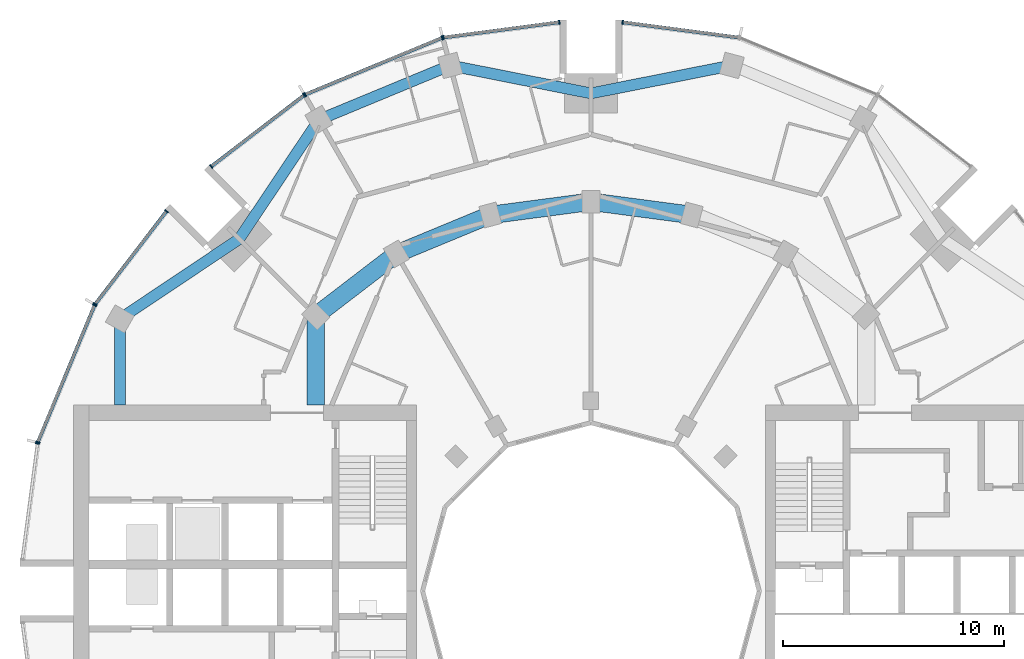
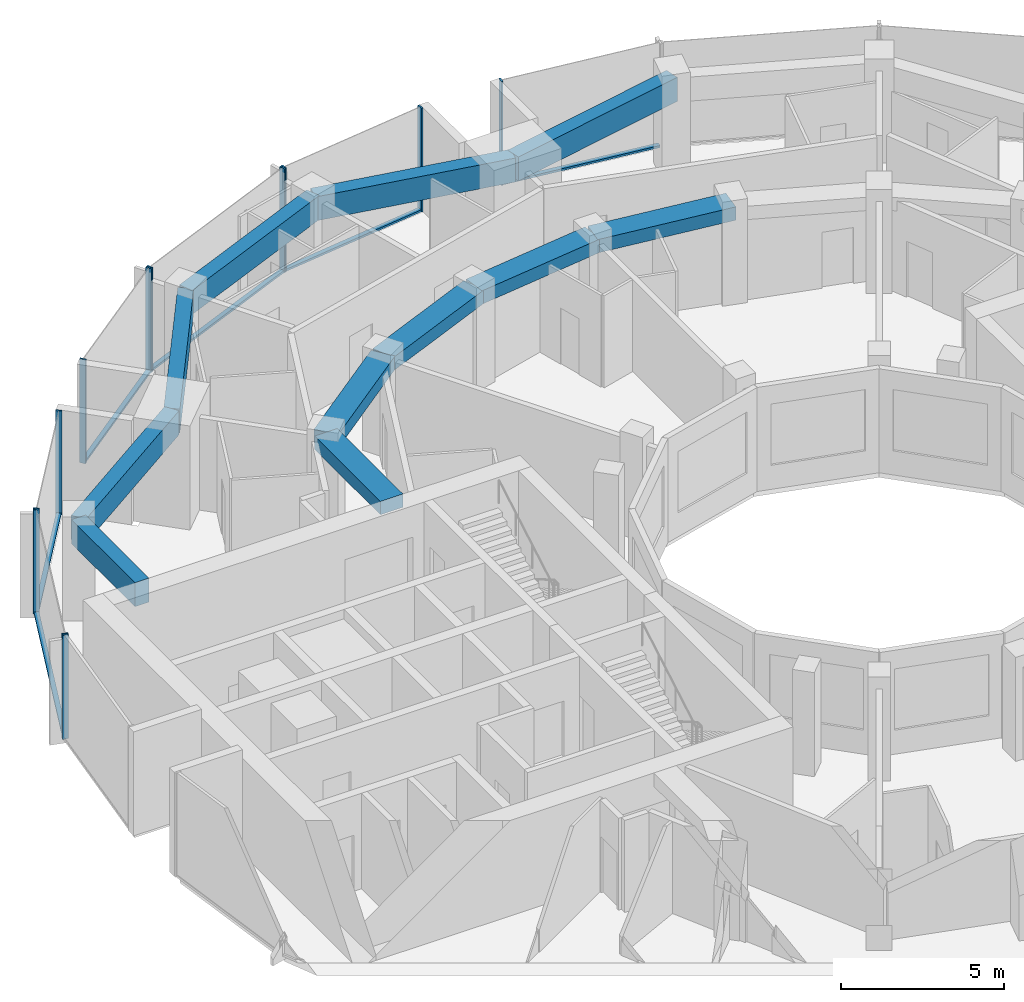
# One storey, part 5 of 15: 18 members, 11 beams, 7 elements without a shape of their own.
"""IFC4 building model written with IfcOpenShell, lengths in metres."""

from ifc_helpers import new_model, si_unit, direction, frame, origin, origin_2d, place, context, subcontext, project, spatial, rectangle, extrude, material, layer, layer_set, material_profile, profile_set, type_object, element, aggregate, save


model = new_model("IFC4")

# Units and contexts
model_context = context("Model", 3, precision=1e-05, world=origin(), true_north=direction((0.0, 1.0)))
body_context = subcontext(model_context, "Body", "Model", "MODEL_VIEW")
ifc_project = project(units=[si_unit("LENGTHUNIT", "METRE"), si_unit("AREAUNIT", "SQUARE_METRE"), si_unit("VOLUMEUNIT", "CUBIC_METRE"), si_unit("PLANEANGLEUNIT", "RADIAN"), si_unit("MASSUNIT", "GRAM", prefix="KILO")], contexts=[model_context])

# Site, building, storey
site_placement = place(None, origin())
site = spatial("IfcSite", under=ifc_project, at=site_placement, CompositionType="ELEMENT")
building_placement = place(site_placement, origin())
building = spatial("IfcBuilding", under=site, at=building_placement, Name="Torre Brocal", CompositionType="ELEMENT")
storey_placement = place(building_placement, frame((0.0, 0.0, 134.10009765625)))
storey = spatial("IfcBuildingStorey", under=building, at=storey_placement, Name="L31", CompositionType="ELEMENT", Elevation=134.10009765625)

# Curtain wall, member
ifc_material_1 = material(Name="Aluminium and glass", Category="aluminium")
ifc_layer_1 = layer(ifc_material_1, 0.199951171875)
ifc_layer_set_1 = layer_set([ifc_layer_1], Name="Aluminium and glass")
curtain_wall_type_1 = type_object("IfcCurtainWallType", Name="CW-1 CURTAIN WALL 3900 HIGH", PredefinedType="NOTDEFINED", material=ifc_layer_set_1)
curtain_wall_1_placement = place(storey_placement, origin())
curtain_wall_1 = element("IfcCurtainWall", 1, at=curtain_wall_1_placement, inside=storey, type_object=curtain_wall_type_1, Name="CW-1 RUN 6", PredefinedType="NOTDEFINED")
ifc_material_2 = material(Name="Aluminium, dark anodised", Category="aluminium")
ifc_material_profile_1 = material_profile(ifc_material_2, rectangle(XDim=0.199951171875, YDim=0.06005859375, at=origin_2d()), Name="CW-1 MULLION 60X200")
ifc_profile_set_1 = profile_set([ifc_material_profile_1], Name="Aluminium, dark anodised")
member_type_1 = type_object("IfcMemberType", Name="CW-1 MULLION 60X200", PredefinedType="MULLION", material=ifc_profile_set_1)
member_1_placement = place(storey_placement, frame((81.4296875, 100.7109375, 0.0), z_axis=(0.0, 0.0, 1.0), x_axis=(-0.13052619222, -0.991444861374, 0.0)))
member_1 = element("IfcMember", 2, at=member_1_placement, type_object=member_type_1, Name="CW1-3 mullion 2", PredefinedType="MULLION", context=body_context, shape_type="SweptSolid", body=[
    extrude(rectangle(XDim=0.199951171875, YDim=0.06005859375, at=origin_2d()), origin(), (0.0, 0.0, 1.0), 3.89990234375),
])

# Curtain wall, members
curtain_wall_2_placement = place(storey_placement, origin())
curtain_wall_2 = element("IfcCurtainWall", 3, at=curtain_wall_2_placement, inside=storey, type_object=curtain_wall_type_1, Name="CW-1 RUN 7", PredefinedType="NOTDEFINED")
member_2_placement = place(storey_placement, frame((78.5703125, 100.7109375, 0.0), z_axis=(0.0, 0.0, 1.0), x_axis=(0.13052619222, -0.991444861374, 0.0)))
member_2 = element("IfcMember", 4, at=member_2_placement, type_object=member_type_1, Name="CW1-3 mullion 1", PredefinedType="MULLION", context=body_context, shape_type="SweptSolid", body=[
    extrude(rectangle(XDim=0.199951171875, YDim=0.06005859375, at=origin_2d()), origin(), (0.0, 0.0, 1.0), 3.89990234375),
])
member_3_placement = place(storey_placement, frame((73.32666015625, 100.0205078125, 0.0), z_axis=(0.0, 0.0, 1.0), x_axis=(0.13052619222, -0.991444861374, 0.0)))
member_3 = element("IfcMember", 5, at=member_3_placement, type_object=member_type_1, Name="CW1-3 mullion 2", PredefinedType="MULLION", context=body_context, shape_type="SweptSolid", body=[
    extrude(rectangle(XDim=0.199951171875, YDim=0.06005859375, at=origin_2d()), origin(), (0.0, 0.0, 1.0), 3.89990234375),
])

curtain_wall_3_placement = place(storey_placement, origin())
curtain_wall_3 = element("IfcCurtainWall", 6, at=curtain_wall_3_placement, inside=storey, type_object=curtain_wall_type_1, Name="CW-1 RUN 8", PredefinedType="NOTDEFINED")
member_4_placement = place(storey_placement, frame((73.26904296875, 100.005126953125, 0.0), z_axis=(0.0, 0.0, 1.0), x_axis=(0.382683432333, -0.923879532525, 0.0)))
member_4 = element("IfcMember", 7, at=member_4_placement, type_object=member_type_1, Name="CW1-3 mullion 1", PredefinedType="MULLION", context=body_context, shape_type="SweptSolid", body=[
    extrude(rectangle(XDim=0.199951171875, YDim=0.06005859375, at=origin_2d()), origin(), (0.0, 0.0, 1.0), 3.89990234375),
])
member_5_placement = place(storey_placement, frame((67.078125, 97.440673828125, 0.0), z_axis=(0.0, 0.0, 1.0), x_axis=(0.382683432333, -0.923879532525, 0.0)))
member_5 = element("IfcMember", 8, at=member_5_placement, type_object=member_type_1, Name="CW1-3 mullion 2", PredefinedType="MULLION", context=body_context, shape_type="SweptSolid", body=[
    extrude(rectangle(XDim=0.199951171875, YDim=0.06005859375, at=origin_2d()), origin(), (0.0, 0.0, 1.0), 3.89990234375),
])

curtain_wall_4_placement = place(storey_placement, origin())
curtain_wall_4 = element("IfcCurtainWall", 9, at=curtain_wall_4_placement, inside=storey, type_object=curtain_wall_type_1, Name="CW-1 RUN 9", PredefinedType="NOTDEFINED")
member_6_placement = place(storey_placement, frame((67.026611328125, 97.4111328125, 0.0), z_axis=(0.0, 0.0, 1.0), x_axis=(0.60876142905, -0.793353340259, 0.0)))
member_6 = element("IfcMember", 10, at=member_6_placement, type_object=member_type_1, Name="CW1-3 mullion 1", PredefinedType="MULLION", context=body_context, shape_type="SweptSolid", body=[
    extrude(rectangle(XDim=0.199951171875, YDim=0.06005859375, at=origin_2d()), origin(), (0.0, 0.0, 1.0), 3.89990234375),
])
member_7_placement = place(storey_placement, frame((62.83056640625, 94.19140625, 0.0), z_axis=(0.0, 0.0, 1.0), x_axis=(0.60876142905, -0.793353340259, 0.0)))
member_7 = element("IfcMember", 11, at=member_7_placement, type_object=member_type_1, Name="CW1-3 mullion 2", PredefinedType="MULLION", context=body_context, shape_type="SweptSolid", body=[
    extrude(rectangle(XDim=0.199951171875, YDim=0.06005859375, at=origin_2d()), origin(), (0.0, 0.0, 1.0), 3.89990234375),
])

curtain_wall_5_placement = place(storey_placement, origin())
curtain_wall_5 = element("IfcCurtainWall", 12, at=curtain_wall_5_placement, inside=storey, type_object=curtain_wall_type_1, Name="CW-1 RUN 10", PredefinedType="NOTDEFINED")
member_8_placement = place(storey_placement, frame((60.80859375, 92.16943359375, 0.0), z_axis=(0.0, 0.0, 1.0), x_axis=(0.793353340259, -0.60876142905, 0.0)))
member_8 = element("IfcMember", 13, at=member_8_placement, type_object=member_type_1, Name="CW1-3 mullion 1", PredefinedType="MULLION", context=body_context, shape_type="SweptSolid", body=[
    extrude(rectangle(XDim=0.199951171875, YDim=0.06005859375, at=origin_2d()), origin(), (0.0, 0.0, 1.0), 3.89990234375),
])
member_9_placement = place(storey_placement, frame((57.5888671875, 87.973388671875, 0.0), z_axis=(0.0, 0.0, 1.0), x_axis=(0.793353340259, -0.60876142905, 0.0)))
member_9 = element("IfcMember", 14, at=member_9_placement, type_object=member_type_1, Name="CW1-3 mullion 2", PredefinedType="MULLION", context=body_context, shape_type="SweptSolid", body=[
    extrude(rectangle(XDim=0.199951171875, YDim=0.06005859375, at=origin_2d()), origin(), (0.0, 0.0, 1.0), 3.89990234375),
])

curtain_wall_6_placement = place(storey_placement, origin())
curtain_wall_6 = element("IfcCurtainWall", 15, at=curtain_wall_6_placement, inside=storey, type_object=curtain_wall_type_1, Name="CW-1 RUN 11", PredefinedType="NOTDEFINED")
member_10_placement = place(storey_placement, frame((57.559326171875, 87.921875, 0.0), z_axis=(0.0, 0.0, 1.0), x_axis=(0.923879532525, -0.382683432333, 0.0)))
member_10 = element("IfcMember", 16, at=member_10_placement, type_object=member_type_1, Name="CW1-3 mullion 1", PredefinedType="MULLION", context=body_context, shape_type="SweptSolid", body=[
    extrude(rectangle(XDim=0.199951171875, YDim=0.06005859375, at=origin_2d()), origin(), (0.0, 0.0, 1.0), 3.89990234375),
])
member_11_placement = place(storey_placement, frame((54.994873046875, 81.73095703125, 0.0), z_axis=(0.0, 0.0, 1.0), x_axis=(0.923879532525, -0.382683432333, 0.0)))
member_11 = element("IfcMember", 17, at=member_11_placement, type_object=member_type_1, Name="CW1-3 mullion 2", PredefinedType="MULLION", context=body_context, shape_type="SweptSolid", body=[
    extrude(rectangle(XDim=0.199951171875, YDim=0.06005859375, at=origin_2d()), origin(), (0.0, 0.0, 1.0), 3.89990234375),
])

# Member
ifc_material_3 = material(Name="Aluminium, dark anodised", Category="aluminium")
ifc_material_profile_2 = material_profile(ifc_material_3, rectangle(XDim=0.159912109375, YDim=0.080078125, at=origin_2d()), Name="CW-1 TRANSOM 160X80")
ifc_profile_set_2 = profile_set([ifc_material_profile_2], Name="Aluminium, dark anodised")
member_type_2 = type_object("IfcMemberType", Name="CW-1 TRANSOM 160X80", PredefinedType="USERDEFINED", material=ifc_profile_set_2)
member_12_placement = place(storey_placement, frame((86.643798828125, 100.0244140625, 0.039794921875), z_axis=(-0.991442690863, 0.130542677827, 0.0), x_axis=(-0.130542677827, -0.991442690863, 0.0)))
member_12 = element("IfcMember", 18, at=member_12_placement, type_object=member_type_2, Name="CW1-3 transom 1.1", ObjectType="TRANSOM", PredefinedType="USERDEFINED", context=body_context, shape_type="SweptSolid", body=[
    extrude(rectangle(XDim=0.159912109375, YDim=0.080078125, at=origin_2d()), origin(), (0.0, 0.0, 1.0), 5.22900390625),
])

aggregate(curtain_wall_1, [member_1, member_12])

member_13_placement = place(storey_placement, frame((78.54052734375, 100.70703125, 0.039794921875), z_axis=(-0.991442690863, -0.130542677827, 0.0), x_axis=(0.130542677827, -0.991442690863, 0.0)))
member_13 = element("IfcMember", 19, at=member_13_placement, type_object=member_type_2, Name="CW1-3 transom 1.1", ObjectType="TRANSOM", PredefinedType="USERDEFINED", context=body_context, shape_type="SweptSolid", body=[
    extrude(rectangle(XDim=0.159912109375, YDim=0.080078125, at=origin_2d()), origin(), (0.0, 0.0, 1.0), 5.22900390625),
])

aggregate(curtain_wall_2, [member_2, member_3, member_13])

member_14_placement = place(storey_placement, frame((73.241455078125, 99.99365234375, 0.039794921875), z_axis=(-0.923887344364, -0.38266457234, 0.0), x_axis=(0.38266457234, -0.923887344364, 0.0)))
member_14 = element("IfcMember", 20, at=member_14_placement, type_object=member_type_2, Name="CW1-3 transom 1.1", ObjectType="TRANSOM", PredefinedType="USERDEFINED", context=body_context, shape_type="SweptSolid", body=[
    extrude(rectangle(XDim=0.159912109375, YDim=0.080078125, at=origin_2d()), origin(), (0.0, 0.0, 1.0), 6.640869140625),
])

aggregate(curtain_wall_3, [member_4, member_5, member_14])

member_15_placement = place(storey_placement, frame((67.0029296875, 97.392822265625, 0.039794921875), z_axis=(-0.79336281513, -0.60874908096, 0.0), x_axis=(0.60874908096, -0.79336281513, 0.0)))
member_15 = element("IfcMember", 21, at=member_15_placement, type_object=member_type_2, Name="CW1-3 transom 1.1", ObjectType="TRANSOM", PredefinedType="USERDEFINED", context=body_context, shape_type="SweptSolid", body=[
    extrude(rectangle(XDim=0.159912109375, YDim=0.080078125, at=origin_2d()), origin(), (0.0, 0.0, 1.0), 5.22900390625),
])

aggregate(curtain_wall_4, [member_6, member_7, member_15])

member_16_placement = place(storey_placement, frame((60.790283203125, 92.1455078125, 0.039794921875), z_axis=(-0.60874908096, -0.79336281513, 0.0), x_axis=(0.79336281513, -0.60874908096, 0.0)))
member_16 = element("IfcMember", 22, at=member_16_placement, type_object=member_type_2, Name="CW1-3 transom 1.1", ObjectType="TRANSOM", PredefinedType="USERDEFINED", context=body_context, shape_type="SweptSolid", body=[
    extrude(rectangle(XDim=0.159912109375, YDim=0.080078125, at=origin_2d()), origin(), (0.0, 0.0, 1.0), 5.22900390625),
])

aggregate(curtain_wall_5, [member_8, member_9, member_16])

member_17_placement = place(storey_placement, frame((57.547607421875, 87.89404296875, 0.039794921875), z_axis=(-0.38266457234, -0.923887344364, 0.0), x_axis=(0.923887344364, -0.38266457234, 0.0)))
member_17 = element("IfcMember", 23, at=member_17_placement, type_object=member_type_2, Name="CW1-3 transom 1.1", ObjectType="TRANSOM", PredefinedType="USERDEFINED", context=body_context, shape_type="SweptSolid", body=[
    extrude(rectangle(XDim=0.159912109375, YDim=0.080078125, at=origin_2d()), origin(), (0.0, 0.0, 1.0), 6.640869140625),
])

aggregate(curtain_wall_6, [member_10, member_11, member_17])

# Curtain wall, member
ifc_material_4 = material(Name="Aluminium and glass", Category="aluminium")
ifc_layer_2 = layer(ifc_material_4, 0.199951171875)
ifc_layer_set_2 = layer_set([ifc_layer_2], Name="Aluminium and glass")
curtain_wall_type_2 = type_object("IfcCurtainWallType", Name="CW-1B CURTAIN WALL 3900 HIGH", PredefinedType="NOTDEFINED", material=ifc_layer_set_2)
curtain_wall_7_placement = place(storey_placement, origin())
curtain_wall_7 = element("IfcCurtainWall", 24, at=curtain_wall_7_placement, inside=storey, type_object=curtain_wall_type_2, Name="CW-1B RUN 12", PredefinedType="NOTDEFINED")
ifc_material_5 = material(Name="Aluminium, dark anodised", Category="aluminium")
ifc_material_profile_3 = material_profile(ifc_material_5, rectangle(XDim=0.199951171875, YDim=0.06005859375, at=origin_2d()), Name="CW-1B MULLION 60X200")
ifc_profile_set_3 = profile_set([ifc_material_profile_3], Name="Aluminium, dark anodised")
member_type_3 = type_object("IfcMemberType", Name="CW-1B MULLION 60X200", PredefinedType="MULLION", material=ifc_profile_set_3)
member_18_placement = place(storey_placement, frame((54.9794921875, 81.67333984375, 0.0), z_axis=(0.0, 0.0, 1.0), x_axis=(0.991444861374, -0.13052619222, 0.0)))
member_18 = element("IfcMember", 25, at=member_18_placement, type_object=member_type_3, Name="CW1B-3 mullion 1", PredefinedType="MULLION", context=body_context, shape_type="SweptSolid", body=[
    extrude(rectangle(XDim=0.199951171875, YDim=0.06005859375, at=origin_2d()), origin(), (0.0, 0.0, 1.0), 3.89990234375),
])
aggregate(curtain_wall_7, [member_18])

# Beams
ifc_material_6 = material(Name="Concrete C50", Category="concrete")
ifc_material_profile_4 = material_profile(ifc_material_6, rectangle(XDim=0.800048828125, YDim=0.5, at=origin_2d()), Name="RC 800X500")
ifc_profile_set_4 = profile_set([ifc_material_profile_4], Name="Concrete C50")
beam_type_1 = type_object("IfcBeamType", Name="RC BEAM 800X500 C50 TOP 3580", PredefinedType="BEAM", material=ifc_profile_set_4)
for number, where, z_axis, x_axis, name in (
    (26, (84.55517578125, 92.000244140625, 3.329833984375), (-0.991440544449, 0.130558978332, 0.0), (-0.130558978332, -0.991440544449, 0.0), "Beam BT-28"),
    (27, (80.0, 92.60009765625, 3.329833984375), (-0.991440544449, -0.130558978332, 0.0), (0.130558978332, -0.991440544449, 0.0), "Beam BT-28"),
):
    element("IfcBeam", number, at=place(storey_placement, frame(where, z_axis=z_axis, x_axis=x_axis)), inside=storey, type_object=beam_type_1, Name=name, PredefinedType="BEAM", context=body_context, shape_type="SweptSolid", body=[
        extrude(rectangle(XDim=0.800048828125, YDim=0.5, at=origin_2d()), origin(), (0.0, 0.0, 1.0), 4.594482421875),
    ])
beam_1_placement = place(storey_placement, frame((75.44482421875, 92.000244140625, 3.329833984375), z_axis=(-0.923878240166, -0.382686552348, 0.0), x_axis=(0.382686552348, -0.923878240166, 0.0)))
element("IfcBeam", 28, at=beam_1_placement, inside=storey, type_object=beam_type_1, Name="Beam BT-28", PredefinedType="BEAM", context=body_context, shape_type="SweptSolid", body=[
    extrude(rectangle(XDim=0.800048828125, YDim=0.5, at=origin_2d()), origin(), (0.0, 0.0, 1.0), 4.5947265625),
])
beam_2_placement = place(storey_placement, frame((71.199951171875, 90.241943359375, 3.329833984375), z_axis=(-0.793358265959, -0.6087550097, 0.0), x_axis=(0.6087550097, -0.793358265959, 0.0)))
element("IfcBeam", 29, at=beam_2_placement, inside=storey, type_object=beam_type_1, Name="Beam BT-28", PredefinedType="BEAM", context=body_context, shape_type="SweptSolid", body=[
    extrude(rectangle(XDim=0.800048828125, YDim=0.5, at=origin_2d()), origin(), (0.0, 0.0, 1.0), 4.594482421875),
])
beam_3_placement = place(storey_placement, frame((67.554931640625, 87.445068359375, 3.329833984375), z_axis=(0.0, -1.0, 0.0), x_axis=(1.0, 0.0, 0.0)))
element("IfcBeam", 30, at=beam_3_placement, inside=storey, type_object=beam_type_1, Name="Beam BT-28", PredefinedType="BEAM", context=body_context, shape_type="SweptSolid", body=[
    extrude(rectangle(XDim=0.800048828125, YDim=0.5, at=origin_2d()), origin(), (0.0, 0.0, 1.0), 4.045166015625),
])
ifc_material_7 = material(Name="Concrete C50", Category="concrete")
ifc_material_profile_5 = material_profile(ifc_material_7, rectangle(XDim=0.5, YDim=0.89990234375, at=origin_2d()), Name="RC 500X900")
ifc_profile_set_5 = profile_set([ifc_material_profile_5], Name="Concrete C50")
beam_type_2 = type_object("IfcBeamType", Name="RC SPANDREL BEAM 500X900 C50 TOP 3580", PredefinedType="SPANDREL", material=ifc_profile_set_5)
for number, where, z_axis, x_axis, name in (
    (31, (86.366943359375, 98.76171875, 3.1298828125), (-0.980924907484, -0.194387051723, 0.0), (0.194387051723, -0.980924907484, 0.0), "Beam BT-29"),
    (32, (80.0, 97.5, 3.1298828125), (-0.980924907484, 0.194387051723, 0.0), (-0.194387051723, -0.980924907484, 0.0), "Beam BT-29"),
):
    element("IfcBeam", number, at=place(storey_placement, frame(where, z_axis=z_axis, x_axis=x_axis)), inside=storey, type_object=beam_type_2, Name=name, PredefinedType="SPANDREL", context=body_context, shape_type="SweptSolid", body=[
        extrude(rectangle(XDim=0.5, YDim=0.89990234375, at=origin_2d()), origin(), (0.0, 0.0, 1.0), 6.49072265625),
    ])
beam_4_placement = place(storey_placement, frame((73.633056640625, 98.76171875, 3.1298828125), z_axis=(-0.923882462513, -0.382676358639, 0.0), x_axis=(0.382676358639, -0.923882462513, 0.0)))
element("IfcBeam", 33, at=beam_4_placement, inside=storey, type_object=beam_type_2, Name="Beam BT-29", PredefinedType="SPANDREL", context=body_context, shape_type="SweptSolid", body=[
    extrude(rectangle(XDim=0.5, YDim=0.89990234375, at=origin_2d()), origin(), (0.0, 0.0, 1.0), 6.421875),
])
for number, where, z_axis, x_axis, name in (
    (34, (67.699951171875, 96.30419921875, 3.1298828125), (-0.556157602282, -0.831076844476, 0.0), (0.831076844476, -0.556157602282, 0.0), "Beam BT-29"),
    (35, (64.090087890625, 90.909912109375, 3.1298828125), (-0.831076844476, -0.556157602282, 0.0), (0.556157602282, -0.831076844476, 0.0), "Beam BT-29"),
):
    element("IfcBeam", number, at=place(storey_placement, frame(where, z_axis=z_axis, x_axis=x_axis)), inside=storey, type_object=beam_type_2, Name=name, PredefinedType="SPANDREL", context=body_context, shape_type="SweptSolid", body=[
        extrude(rectangle(XDim=0.5, YDim=0.89990234375, at=origin_2d()), origin(), (0.0, 0.0, 1.0), 6.49072265625),
    ])
beam_5_placement = place(storey_placement, frame((58.69580078125, 87.300048828125, 3.1298828125), z_axis=(0.0, -1.0, 0.0), x_axis=(1.0, 0.0, 0.0)))
element("IfcBeam", 36, at=beam_5_placement, inside=storey, type_object=beam_type_2, Name="Beam BT-29", PredefinedType="SPANDREL", context=body_context, shape_type="SweptSolid", body=[
    extrude(rectangle(XDim=0.5, YDim=0.89990234375, at=origin_2d()), origin(), (0.0, 0.0, 1.0), 3.900146484375),
])

save(model, "model.ifc")
